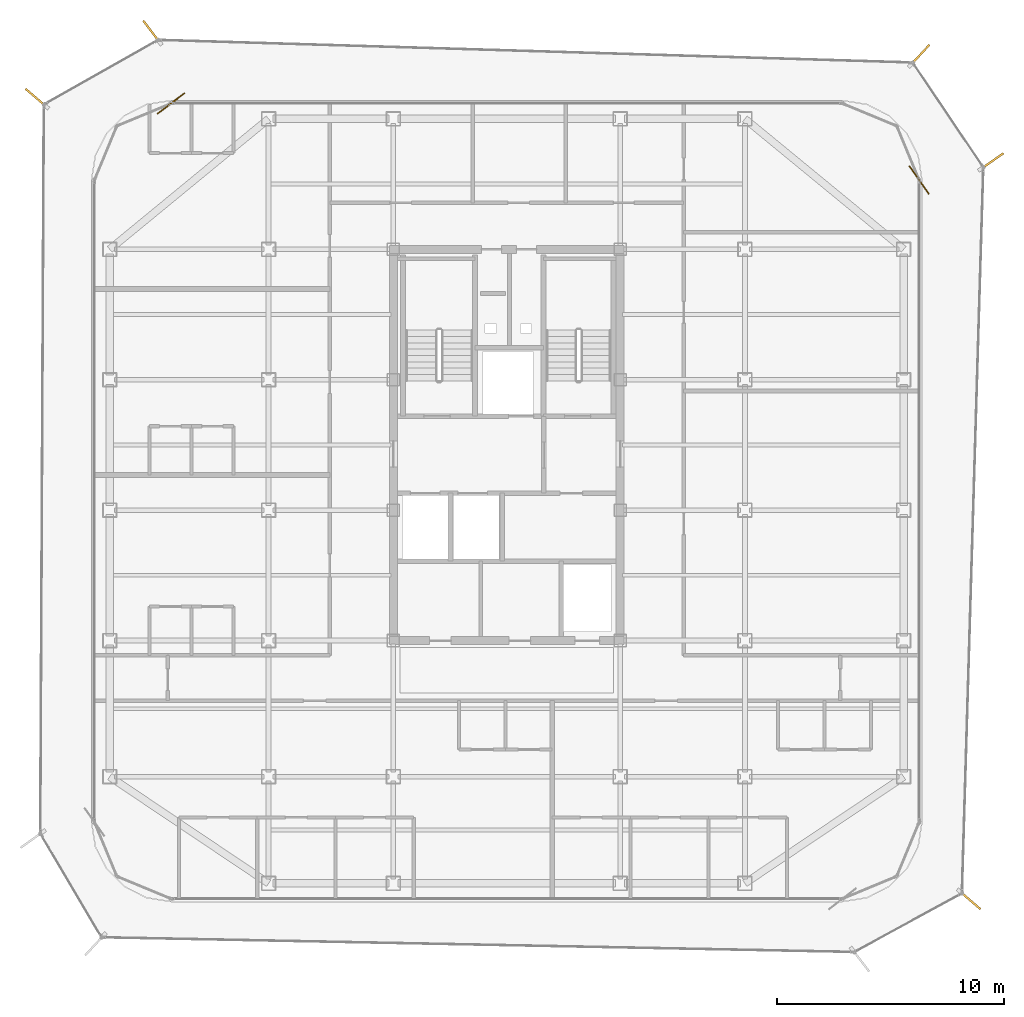
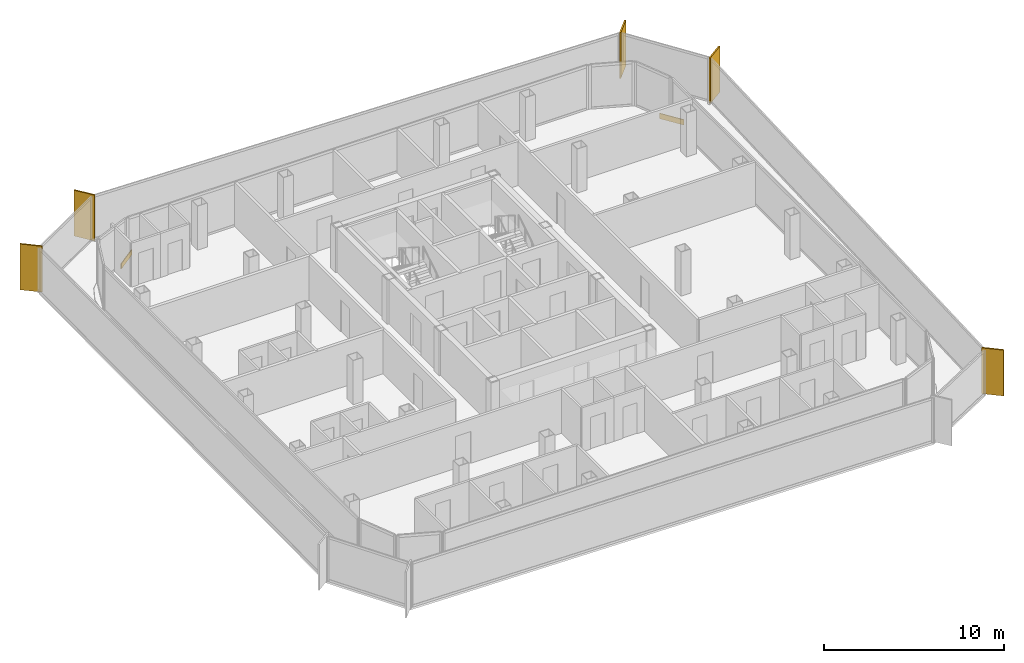
# One storey, part 15 of 15: 5 shading devices, 2 coverings.
"""IFC4 building model written with IfcOpenShell, lengths in metres."""

from ifc_helpers import new_model, si_unit, direction, frame, origin, origin_2d, place, context, subcontext, project, spatial, rectangle, extrude, source, transform, mapped, material, layer, layer_set, type_object, element, save


model = new_model("IFC4")

# Units and contexts
model_context = context("Model", 3, precision=1e-05, world=origin(), true_north=direction((0.0, 1.0)))
body_context = subcontext(model_context, "Body", "Model", "MODEL_VIEW")
ifc_project = project(units=[si_unit("LENGTHUNIT", "METRE"), si_unit("AREAUNIT", "SQUARE_METRE"), si_unit("VOLUMEUNIT", "CUBIC_METRE"), si_unit("PLANEANGLEUNIT", "RADIAN"), si_unit("MASSUNIT", "GRAM", prefix="KILO")], contexts=[model_context])

# Site, building, storey
site_placement = place(None, origin())
site = spatial("IfcSite", under=ifc_project, at=site_placement, CompositionType="ELEMENT")
building_placement = place(site_placement, origin())
building = spatial("IfcBuilding", under=site, at=building_placement, Name="Kolveth Station Tower", CompositionType="ELEMENT")
storey_placement = place(building_placement, frame((0.0, 0.0, 258.5)))
storey = spatial("IfcBuildingStorey", under=building, at=storey_placement, Name="L74", CompositionType="ELEMENT", Elevation=258.5)

# Shading devices
ifc_material_1 = material(Name="Black anodized aluminium 6063-T6", Category="aluminium")
shading_device_type = type_object("IfcShadingDeviceType", Name="FIN_VF1", PredefinedType="USERDEFINED", material=ifc_material_1)
shared_shape_1 = source(origin(), body_context, "Body", "SweptSolid", [
    extrude(rectangle(XDim=1.25, YDim=0.090087890625, at=origin_2d()), origin(), (0.0, 0.0, 1.0), 3.10009765625),
])
for number, where, z_axis, x_axis, name in (
    (1, (43.9140625, 0.06494140625, 0.0), (0.0, 0.0, 1.0), (0.757678900914, -0.652627522489, 0.0), "L74 Dark-Aluminium Solar Fin 2"),
    (2, (44.884033203125, 32.625, 0.0), (0.0, 0.0, 1.0), (0.819152044289, 0.573576436351, 0.0), "L74 Dark-Aluminium Solar Fin 3"),
    (3, (41.7099609375, 37.306884765625, 0.0), (0.0, 0.0, 1.0), (0.679569353932, 0.73361126845, 0.0), "L74 Dark-Aluminium Solar Fin 4"),
    (4, (7.85205078125, 38.3330078125, 0.0), (0.0, 0.0, 1.0), (-0.603347183213, 0.797478637023, 0.0), "L74 Dark-Aluminium Solar Fin 5"),
    (5, (2.757080078125, 35.422119140625, 0.0), (0.0, 0.0, 1.0), (-0.759384877298, 0.650641689512, 0.0), "L74 Dark-Aluminium Solar Fin 6"),
):
    element("IfcShadingDevice", number, at=place(storey_placement, frame(where, z_axis=z_axis, x_axis=x_axis)), inside=storey, type_object=shading_device_type, Name=name, ObjectType="FIN", PredefinedType="USERDEFINED", context=body_context, shape_type="MappedRepresentation", body=[
        mapped(shared_shape_1, transform((0.0, 0.0, 0.0), x_axis=(1.0, 0.0, 0.0), y_axis=(0.0, 1.0, 0.0), z_axis=(0.0, 0.0, 1.0), scale=1.0)),
    ])

# Coverings
ifc_material_2 = material(Name="Charcoal anodized aluminium spandrel cladding", Category="aluminium")
ifc_layer = layer(ifc_material_2, 0.044921875)
ifc_layer_set = layer_set([ifc_layer], Name="Charcoal anodized aluminium spandrel cladding")
covering_type = type_object("IfcCoveringType", Name="Clad_CD1", PredefinedType="CLADDING", material=ifc_layer_set)
shared_shape_2 = source(origin(), body_context, "Body", "SweptSolid", [
    extrude(rectangle(XDim=1.5, YDim=0.044921875, at=origin_2d()), origin(), (0.0, 0.0, 1.0), 0.360107421875),
])
for number, where, z_axis, x_axis, name in (
    (6, (41.679931640625, 31.800048828125, 0.0), (0.0, 0.0, 1.0), (-0.573576436351, 0.819152044289, 0.0), "L74 Spandrel Edge Cladding 3"),
    (7, (8.699951171875, 35.179931640625, 0.0), (0.0, 0.0, 1.0), (-0.797478637023, -0.603347183213, 0.0), "L74 Spandrel Edge Cladding 5"),
):
    element("IfcCovering", number, at=place(storey_placement, frame(where, z_axis=z_axis, x_axis=x_axis)), inside=storey, type_object=covering_type, Name=name, PredefinedType="CLADDING", context=body_context, shape_type="MappedRepresentation", body=[
        mapped(shared_shape_2, transform((0.0, 0.0, 0.0), x_axis=(1.0, 0.0, 0.0), y_axis=(0.0, 1.0, 0.0), z_axis=(0.0, 0.0, 1.0), scale=1.0)),
    ])

save(model, "model.ifc")
